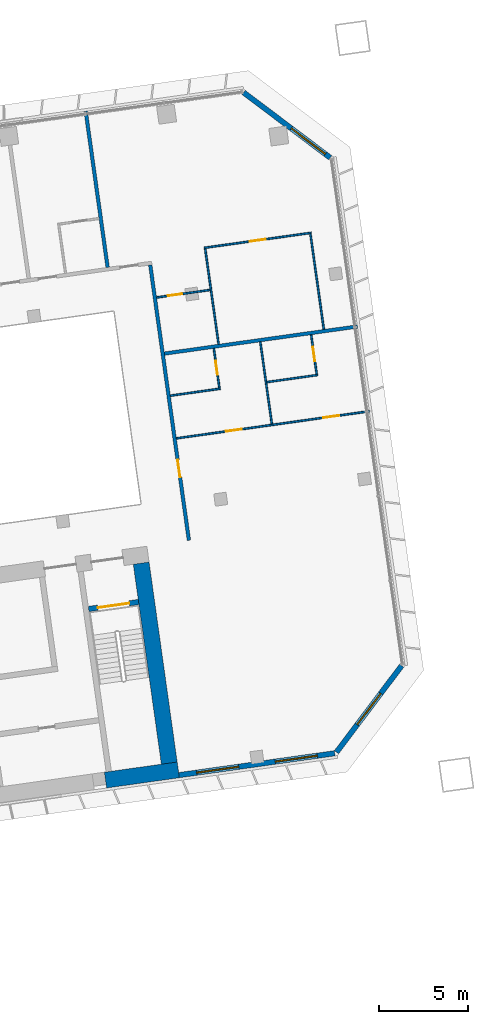
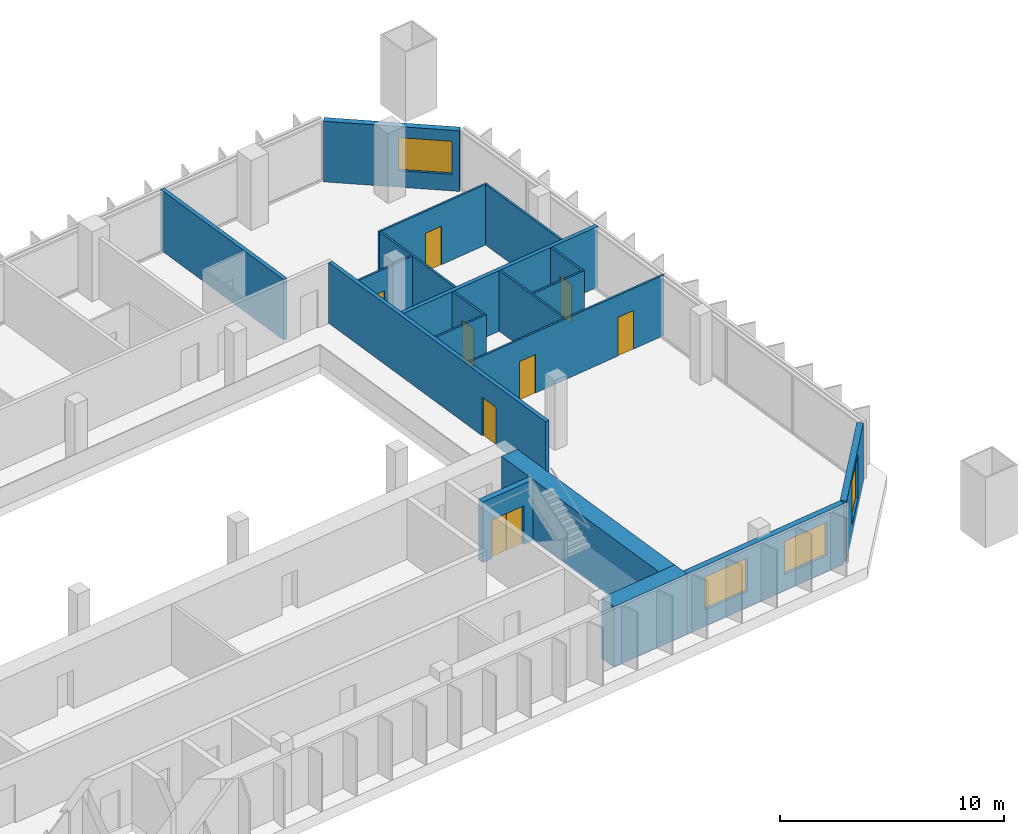
# One storey, part 21 of 24: 19 walls, 8 doors, 4 windows, 12 openings.
"""IFC4 building model written with IfcOpenShell, lengths in metres."""

from ifc_helpers import new_model, si_unit, direction, frame, frame_2d, origin, place, context, subcontext, project, spatial, rectangle, extrude, material, layer, layer_set, type_object, element, fill, save


model = new_model("IFC4")

# Units and contexts
model_context = context("Model", 3, precision=1e-05, world=origin(), true_north=direction((0.0, 1.0)))
body_context = subcontext(model_context, "Body", "Model", "MODEL_VIEW")
ifc_project = project(units=[si_unit("LENGTHUNIT", "METRE"), si_unit("AREAUNIT", "SQUARE_METRE"), si_unit("VOLUMEUNIT", "CUBIC_METRE"), si_unit("PLANEANGLEUNIT", "RADIAN"), si_unit("MASSUNIT", "GRAM", prefix="KILO")], contexts=[model_context])

# Site, building, storey
site_placement = place(None, origin())
site = spatial("IfcSite", under=ifc_project, at=site_placement, CompositionType="ELEMENT")
building_placement = place(site_placement, origin())
building = spatial("IfcBuilding", under=site, at=building_placement, Name="Mirante Cascada Hotel Towers", CompositionType="ELEMENT")
storey_placement = place(building_placement, frame((0.0, 0.0, 88.9)))
storey = spatial("IfcBuildingStorey", under=building, at=storey_placement, Name="L19", CompositionType="ELEMENT", Elevation=88.9)

# Walls
ifc_material_1 = material(Name="Fire-rated plasterboard on metal studs")
ifc_layer_1 = layer(ifc_material_1, 0.2)
ifc_layer_set_1 = layer_set([ifc_layer_1], Name="Compartment wall 200 EI 120")
wall_type_1 = type_object("IfcWallType", Name="Compartment wall 200 EI 120", PredefinedType="PARTITIONING", material=ifc_layer_set_1)
wall_1_placement = place(storey_placement, frame((100.6266, 12.8067, 0.0), z_axis=(0.0, 0.0, 1.0), x_axis=(-0.990268, -0.1391733, 0.0)))
element("IfcWall", 1, at=wall_1_placement, inside=storey, type_object=wall_type_1, Name="Wall 2-L19-09", PredefinedType="PARTITIONING", context=body_context, shape_type="SweptSolid", body=[
    extrude(rectangle(XDim=11.0, YDim=0.2, at=frame_2d((5.5, 0.0))), origin(), (0.0, 0.0, 1.0), 3.3),
])
wall_2_placement = place(storey_placement, frame((86.525, 16.1433, 0.0), z_axis=(0.0, 0.0, 1.0), x_axis=(-0.1391684, 0.9902687, 0.0)))
element("IfcWall", 2, at=wall_2_placement, inside=storey, type_object=wall_type_1, Name="Wall 2-L19-48", PredefinedType="PARTITIONING", context=body_context, shape_type="SweptSolid", body=[
    extrude(rectangle(XDim=8.9, YDim=0.2, at=frame_2d((4.45, 0.0))), origin(), (0.0, 0.0, 1.0), 3.3),
])

# Wall, opening, door
wall_3_placement = place(storey_placement, frame((88.9295, 16.2793, 0.0), z_axis=(0.0, 0.0, 1.0), x_axis=(0.1391721, -0.9902682, 0.0)))
wall_3 = element("IfcWall", 3, at=wall_3_placement, inside=storey, type_object=wall_type_1, Name="Wall 2-L19-49", PredefinedType="PARTITIONING", context=body_context, shape_type="SweptSolid", body=[
    extrude(rectangle(XDim=15.7, YDim=0.2, at=frame_2d((7.85, 0.0))), origin(), (0.0, 0.0, 1.0), 3.3),
])
opening_1_placement = place(wall_3_placement, frame((11.1, 0.0, 0.0)))
opening_1 = element("IfcOpeningElement", 4, at=opening_1_placement, cuts=wall_3, Name="Opening D2-L19-31", PredefinedType="OPENING", context=body_context, shape_type="SweptSolid", body=[
    extrude(rectangle(XDim=1.0, YDim=2.1, at=frame_2d((0.5, 1.05))), frame((0.0, 0.1, 0.0), z_axis=(0.0, -1.0, 0.0), x_axis=(1.0, 0.0, 0.0)), (0.0, 0.0, 1.0), 0.2),
])
ifc_material_2 = material(Name="Fire-rated timber door leaf", Category="wood")
door_type_1 = type_object("IfcDoorType", Name="Entrance door DG1 1000x2100 EI 60", OperationType="SINGLE_SWING_LEFT", PredefinedType="DOOR", material=ifc_material_2)
door_1_placement = place(opening_1_placement, origin())
door_1 = element("IfcDoor", 5, at=door_1_placement, inside=storey, type_object=door_type_1, Name="Door D2-L19-31", OperationType="SINGLE_SWING_LEFT", OverallHeight=2.1, OverallWidth=1.0, PredefinedType="DOOR", context=body_context, shape_type="SweptSolid", body=[
    extrude(rectangle(XDim=1.0, YDim=2.1, at=frame_2d((0.5, 1.05))), frame((0.0, 0.025, 0.0), z_axis=(0.0, -1.0, 0.0), x_axis=(1.0, 0.0, 0.0)), (0.0, 0.0, 1.0), 0.05),
])
fill(opening_1, door_1)

# Wall, openings, doors
ifc_material_3 = material(Name="Plasterboard on metal studs")
ifc_layer_2 = layer(ifc_material_3, 0.1)
ifc_layer_set_2 = layer_set([ifc_layer_2], Name="Partition 100")
wall_type_2 = type_object("IfcWallType", Name="Partition 100", PredefinedType="PARTITIONING", material=ifc_layer_set_2)
wall_4_placement = place(storey_placement, frame((101.2993, 8.0205, 0.0), z_axis=(0.0, 0.0, 1.0), x_axis=(-0.990268, -0.1391733, 0.0)))
wall_4 = element("IfcWall", 6, at=wall_4_placement, inside=storey, type_object=wall_type_2, Name="Wall 2-L19-05", PredefinedType="PARTITIONING", context=body_context, shape_type="SweptSolid", body=[
    extrude(rectangle(XDim=11.0, YDim=0.1, at=frame_2d((5.5, 0.0))), origin(), (0.0, 0.0, 1.0), 3.3),
])
opening_2_placement = place(wall_4_placement, frame((7.275, 0.0, 0.0)))
opening_2 = element("IfcOpeningElement", 7, at=opening_2_placement, cuts=wall_4, Name="Opening D2-L19-03", PredefinedType="OPENING", context=body_context, shape_type="SweptSolid", body=[
    extrude(rectangle(XDim=0.9, YDim=2.1, at=frame_2d((0.45, 1.05))), frame((0.0, 0.05, 0.0), z_axis=(0.0, -1.0, 0.0), x_axis=(1.0, 0.0, 0.0)), (0.0, 0.0, 1.0), 0.1),
])
opening_3_placement = place(wall_4_placement, frame((1.725, 0.0, 0.0)))
opening_3 = element("IfcOpeningElement", 8, at=opening_3_placement, cuts=wall_4, Name="Opening D2-L19-04", PredefinedType="OPENING", context=body_context, shape_type="SweptSolid", body=[
    extrude(rectangle(XDim=0.9, YDim=2.1, at=frame_2d((0.45, 1.05))), frame((0.0, 0.05, 0.0), z_axis=(0.0, -1.0, 0.0), x_axis=(1.0, 0.0, 0.0)), (0.0, 0.0, 1.0), 0.1),
])
ifc_material_4 = material(Name="Timber door leaf", Category="wood")
door_type_2 = type_object("IfcDoorType", Name="Room door DG3 900x2100", OperationType="SINGLE_SWING_LEFT", PredefinedType="DOOR", material=ifc_material_4)
door_2_placement = place(opening_2_placement, origin())
door_2 = element("IfcDoor", 9, at=door_2_placement, inside=storey, type_object=door_type_2, Name="Door D2-L19-03", OperationType="SINGLE_SWING_LEFT", OverallHeight=2.1, OverallWidth=0.9, PredefinedType="DOOR", context=body_context, shape_type="SweptSolid", body=[
    extrude(rectangle(XDim=0.9, YDim=2.1, at=frame_2d((0.45, 1.05))), frame((0.0, 0.025, 0.0), z_axis=(0.0, -1.0, 0.0), x_axis=(1.0, 0.0, 0.0)), (0.0, 0.0, 1.0), 0.05),
])
fill(opening_2, door_2)
door_3_placement = place(opening_3_placement, origin())
door_3 = element("IfcDoor", 10, at=door_3_placement, inside=storey, type_object=door_type_2, Name="Door D2-L19-04", OperationType="SINGLE_SWING_LEFT", OverallHeight=2.1, OverallWidth=0.9, PredefinedType="DOOR", context=body_context, shape_type="SweptSolid", body=[
    extrude(rectangle(XDim=0.9, YDim=2.1, at=frame_2d((0.45, 1.05))), frame((0.0, 0.025, 0.0), z_axis=(0.0, -1.0, 0.0), x_axis=(1.0, 0.0, 0.0)), (0.0, 0.0, 1.0), 0.05),
])
fill(opening_3, door_3)

# Walls
wall_5_placement = place(storey_placement, frame((90.0677, 8.8992, 0.0), z_axis=(0.0, 0.0, 1.0), x_axis=(0.9902704, 0.1391564, 0.0)))
element("IfcWall", 11, at=wall_5_placement, inside=storey, type_object=wall_type_2, Name="Wall 2-L19-06", PredefinedType="PARTITIONING", context=body_context, shape_type="SweptSolid", body=[
    extrude(rectangle(XDim=2.85, YDim=0.1, at=frame_2d((1.425, 0.0))), origin(), (0.0, 0.0, 1.0), 3.3),
])
wall_6_placement = place(storey_placement, frame((98.386, 10.0682, 0.0), z_axis=(0.0, 0.0, 1.0), x_axis=(-0.9902683, -0.1391714, 0.0)))
element("IfcWall", 12, at=wall_6_placement, inside=storey, type_object=wall_type_2, Name="Wall 2-L19-07", PredefinedType="PARTITIONING", context=body_context, shape_type="SweptSolid", body=[
    extrude(rectangle(XDim=2.9, YDim=0.1, at=frame_2d((1.45, 0.0))), origin(), (0.0, 0.0, 1.0), 3.3),
])

# Wall, opening, door
wall_7_placement = place(storey_placement, frame((89.2883, 14.4447, 0.0), z_axis=(0.0, 0.0, 1.0), x_axis=(0.9902676, 0.1391765, 0.0)))
wall_7 = element("IfcWall", 13, at=wall_7_placement, inside=storey, type_object=wall_type_2, Name="Wall 2-L19-12", PredefinedType="PARTITIONING", context=body_context, shape_type="SweptSolid", body=[
    extrude(rectangle(XDim=3.0501, YDim=0.1, at=frame_2d((1.525, 0.0))), origin(), (0.0, 0.0, 1.0), 3.3),
])
opening_4_placement = place(wall_7_placement, frame((0.65, 0.0, 0.0)))
opening_4 = element("IfcOpeningElement", 14, at=opening_4_placement, cuts=wall_7, Name="Opening D2-L19-05", PredefinedType="OPENING", context=body_context, shape_type="SweptSolid", body=[
    extrude(rectangle(XDim=0.8, YDim=2.1, at=frame_2d((0.4, 1.05))), frame((0.0, 0.05, 0.0), z_axis=(0.0, -1.0, 0.0), x_axis=(1.0, 0.0, 0.0)), (0.0, 0.0, 1.0), 0.1),
])
ifc_material_5 = material(Name="Timber door leaf", Category="wood")
door_type_3 = type_object("IfcDoorType", Name="Bathroom door DG4 800x2100", OperationType="SINGLE_SWING_LEFT", PredefinedType="DOOR", material=ifc_material_5)
door_4_placement = place(opening_4_placement, origin())
door_4 = element("IfcDoor", 15, at=door_4_placement, inside=storey, type_object=door_type_3, Name="Door D2-L19-05", OperationType="SINGLE_SWING_LEFT", OverallHeight=2.1, OverallWidth=0.8, PredefinedType="DOOR", context=body_context, shape_type="SweptSolid", body=[
    extrude(rectangle(XDim=0.8, YDim=2.1, at=frame_2d((0.4, 1.05))), frame((0.0, 0.025, 0.0), z_axis=(0.0, -1.0, 0.0), x_axis=(1.0, 0.0, 0.0)), (0.0, 0.0, 1.0), 0.05),
])
fill(opening_4, door_4)

wall_8_placement = place(storey_placement, frame((98.0153, 18.0948, 0.0), z_axis=(0.0, 0.0, 1.0), x_axis=(-0.9902673, -0.1391787, 0.0)))
wall_8 = element("IfcWall", 16, at=wall_8_placement, inside=storey, type_object=wall_type_2, Name="Wall 2-L19-15", PredefinedType="PARTITIONING", context=body_context, shape_type="SweptSolid", body=[
    extrude(rectangle(XDim=6.1001, YDim=0.1, at=frame_2d((3.05, 0.0))), origin(), (0.0, 0.0, 1.0), 3.3),
])
opening_5_placement = place(wall_8_placement, frame((2.6, 0.0, 0.0)))
opening_5 = element("IfcOpeningElement", 17, at=opening_5_placement, cuts=wall_8, Name="Opening D2-L19-17", PredefinedType="OPENING", context=body_context, shape_type="SweptSolid", body=[
    extrude(rectangle(XDim=0.9, YDim=2.1, at=frame_2d((0.45, 1.05))), frame((0.0, 0.05, 0.0), z_axis=(0.0, -1.0, 0.0), x_axis=(1.0, 0.0, 0.0)), (0.0, 0.0, 1.0), 0.1),
])
door_5_placement = place(opening_5_placement, frame((0.9, 0.0, 0.0), z_axis=(0.0, 0.0, 1.0), x_axis=(-1.0, 0.0, 0.0)))
door_5 = element("IfcDoor", 18, at=door_5_placement, inside=storey, type_object=door_type_2, Name="Door D2-L19-17", OperationType="SINGLE_SWING_RIGHT", OverallHeight=2.1, OverallWidth=0.9, PredefinedType="DOOR", context=body_context, shape_type="SweptSolid", body=[
    extrude(rectangle(XDim=0.9, YDim=2.1, at=frame_2d((0.45, 1.05))), frame((0.0, 0.025, 0.0), z_axis=(0.0, -1.0, 0.0), x_axis=(1.0, 0.0, 0.0)), (0.0, 0.0, 1.0), 0.05),
])
fill(opening_5, door_5)

wall_9_placement = place(storey_placement, frame((92.8335, 9.3384, 0.0), z_axis=(0.0, 0.0, 1.0), x_axis=(-0.1391561, 0.9902705, 0.0)))
wall_9 = element("IfcWall", 19, at=wall_9_placement, inside=storey, type_object=wall_type_2, Name="Wall 2-L19-50", PredefinedType="PARTITIONING", context=body_context, shape_type="SweptSolid", body=[
    extrude(rectangle(XDim=2.25, YDim=0.1, at=frame_2d((1.125, 0.0))), origin(), (0.0, 0.0, 1.0), 3.3),
])
opening_6_placement = place(wall_9_placement, frame((0.75, 0.0, 0.0)))
opening_6 = element("IfcOpeningElement", 20, at=opening_6_placement, cuts=wall_9, Name="Opening D2-L19-32", PredefinedType="OPENING", context=body_context, shape_type="SweptSolid", body=[
    extrude(rectangle(XDim=0.8, YDim=2.1, at=frame_2d((0.4, 1.05))), frame((0.0, 0.05, 0.0), z_axis=(0.0, -1.0, 0.0), x_axis=(1.0, 0.0, 0.0)), (0.0, 0.0, 1.0), 0.1),
])
door_6_placement = place(opening_6_placement, origin())
door_6 = element("IfcDoor", 21, at=door_6_placement, inside=storey, type_object=door_type_3, Name="Door D2-L19-32", OperationType="SINGLE_SWING_LEFT", OverallHeight=2.1, OverallWidth=0.8, PredefinedType="DOOR", context=body_context, shape_type="SweptSolid", body=[
    extrude(rectangle(XDim=0.8, YDim=2.1, at=frame_2d((0.4, 1.05))), frame((0.0, 0.025, 0.0), z_axis=(0.0, -1.0, 0.0), x_axis=(1.0, 0.0, 0.0)), (0.0, 0.0, 1.0), 0.05),
])
fill(opening_6, door_6)

# Walls
wall_10_placement = place(storey_placement, frame((92.0311, 17.2032, 0.0), z_axis=(0.0, 0.0, 1.0), x_axis=(0.1391758, -0.9902677, 0.0)))
element("IfcWall", 22, at=wall_10_placement, inside=storey, type_object=wall_type_2, Name="Wall 2-L19-51", PredefinedType="PARTITIONING", context=body_context, shape_type="SweptSolid", body=[
    extrude(rectangle(XDim=5.4499, YDim=0.1, at=frame_2d((2.725, 0.0))), origin(), (0.0, 0.0, 1.0), 3.3),
])
wall_11_placement = place(storey_placement, frame((95.7964, 7.2976, 0.0), z_axis=(0.0, 0.0, 1.0), x_axis=(-0.139176, 0.9902677, 0.0)))
element("IfcWall", 23, at=wall_11_placement, inside=storey, type_object=wall_type_2, Name="Wall 2-L19-52", PredefinedType="PARTITIONING", context=body_context, shape_type="SweptSolid", body=[
    extrude(rectangle(XDim=4.6833, YDim=0.1, at=frame_2d((2.3416, 0.0))), origin(), (0.0, 0.0, 1.0), 3.3),
])

# Wall, opening, door
wall_12_placement = place(storey_placement, frame((98.0163, 12.3389, 0.0), z_axis=(0.0, 0.0, 1.0), x_axis=(0.1391997, -0.9902643, 0.0)))
wall_12 = element("IfcWall", 24, at=wall_12_placement, inside=storey, type_object=wall_type_2, Name="Wall 2-L19-53", PredefinedType="PARTITIONING", context=body_context, shape_type="SweptSolid", body=[
    extrude(rectangle(XDim=2.25, YDim=0.1, at=frame_2d((1.125, 0.0))), origin(), (0.0, 0.0, 1.0), 3.3),
])
opening_7_placement = place(wall_12_placement, frame((0.7, 0.0, 0.0)))
opening_7 = element("IfcOpeningElement", 25, at=opening_7_placement, cuts=wall_12, Name="Opening D2-L19-33", PredefinedType="OPENING", context=body_context, shape_type="SweptSolid", body=[
    extrude(rectangle(XDim=0.8, YDim=2.1, at=frame_2d((0.4, 1.05))), frame((0.0, 0.05, 0.0), z_axis=(0.0, -1.0, 0.0), x_axis=(1.0, 0.0, 0.0)), (0.0, 0.0, 1.0), 0.1),
])
door_7_placement = place(opening_7_placement, frame((0.8, 0.0, 0.0), z_axis=(0.0, 0.0, 1.0), x_axis=(-1.0, 0.0, 0.0)))
door_7 = element("IfcDoor", 26, at=door_7_placement, inside=storey, type_object=door_type_3, Name="Door D2-L19-33", OperationType="SINGLE_SWING_RIGHT", OverallHeight=2.1, OverallWidth=0.8, PredefinedType="DOOR", context=body_context, shape_type="SweptSolid", body=[
    extrude(rectangle(XDim=0.8, YDim=2.1, at=frame_2d((0.4, 1.05))), frame((0.0, 0.025, 0.0), z_axis=(0.0, -1.0, 0.0), x_axis=(1.0, 0.0, 0.0)), (0.0, 0.0, 1.0), 0.05),
])
fill(opening_7, door_7)

# Wall
wall_13_placement = place(storey_placement, frame((98.7312, 12.6413, 0.0), z_axis=(0.0, 0.0, 1.0), x_axis=(-0.1391733, 0.990268, 0.0)))
element("IfcWall", 27, at=wall_13_placement, inside=storey, type_object=wall_type_2, Name="Wall 2-L19-54", PredefinedType="PARTITIONING", context=body_context, shape_type="SweptSolid", body=[
    extrude(rectangle(XDim=5.45, YDim=0.1, at=frame_2d((2.725, 0.0))), origin(), (0.0, 0.0, 1.0), 3.3),
])

# Wall, openings, windows
ifc_material_6 = material(Name="Precast concrete C40/50", Category="concrete")
ifc_layer_3 = layer(ifc_material_6, 0.3)
ifc_layer_set_3 = layer_set([ifc_layer_3], Name="Precast concrete C40/50 cladding wall 300")
wall_type_3 = type_object("IfcWallType", Name="Precast concrete C40/50 cladding wall 300", PredefinedType="STANDARD", material=ifc_layer_set_3)
wall_14_placement = place(storey_placement, frame((90.5541, -12.5249, 0.0), z_axis=(0.0, 0.0, 1.0), x_axis=(0.9902676, 0.1391765, 0.0)))
wall_14 = element("IfcWall", 28, at=wall_14_placement, inside=storey, type_object=wall_type_3, Name="Rear cladding wall T2 L19 1", PredefinedType="STANDARD", context=body_context, shape_type="SweptSolid", body=[
    extrude(rectangle(XDim=8.8758, YDim=0.3, at=frame_2d((4.4379, 0.0))), origin(), (0.0, 0.0, 1.0), 3.3),
])
opening_8_placement = place(wall_14_placement, frame((1.0012, 0.0, 0.9)))
opening_8 = element("IfcOpeningElement", 29, at=opening_8_placement, cuts=wall_14, Name="Opening W2-19-01", PredefinedType="OPENING", context=body_context, shape_type="SweptSolid", body=[
    extrude(rectangle(XDim=2.4, YDim=1.8, at=frame_2d((1.2, 0.9))), frame((0.0, 0.15, 0.0), z_axis=(0.0, -1.0, 0.0), x_axis=(1.0, 0.0, 0.0)), (0.0, 0.0, 1.0), 0.3),
])
opening_9_placement = place(wall_14_placement, frame((5.4923, 0.0, 0.9)))
opening_9 = element("IfcOpeningElement", 30, at=opening_9_placement, cuts=wall_14, Name="Opening W2-19-02", PredefinedType="OPENING", context=body_context, shape_type="SweptSolid", body=[
    extrude(rectangle(XDim=2.4, YDim=1.8, at=frame_2d((1.2, 0.9))), frame((0.0, 0.15, 0.0), z_axis=(0.0, -1.0, 0.0), x_axis=(1.0, 0.0, 0.0)), (0.0, 0.0, 1.0), 0.3),
])
ifc_material_7 = material(Name="Aluminium frame with clear double glazing", Category="aluminium")
window_type_1 = type_object("IfcWindowType", Name="Punched window 2400x1800", PartitioningType="DOUBLE_PANEL_VERTICAL", PredefinedType="WINDOW", material=ifc_material_7)
window_1_placement = place(opening_8_placement, origin())
window_1 = element("IfcWindow", 31, at=window_1_placement, inside=storey, type_object=window_type_1, Name="Window W2-19-01", OverallHeight=1.8, OverallWidth=2.4, PartitioningType="SINGLE_PANEL", PredefinedType="WINDOW", context=body_context, shape_type="SweptSolid", body=[
    extrude(rectangle(XDim=2.4, YDim=1.8, at=frame_2d((1.2, 0.9))), frame((0.0, 0.03, 0.0), z_axis=(0.0, -1.0, 0.0), x_axis=(1.0, 0.0, 0.0)), (0.0, 0.0, 1.0), 0.06),
])
fill(opening_8, window_1)
window_2_placement = place(opening_9_placement, origin())
window_2 = element("IfcWindow", 32, at=window_2_placement, inside=storey, type_object=window_type_1, Name="Window W2-19-02", OverallHeight=1.8, OverallWidth=2.4, PartitioningType="SINGLE_PANEL", PredefinedType="WINDOW", context=body_context, shape_type="SweptSolid", body=[
    extrude(rectangle(XDim=2.4, YDim=1.8, at=frame_2d((1.2, 0.9))), frame((0.0, 0.03, 0.0), z_axis=(0.0, -1.0, 0.0), x_axis=(1.0, 0.0, 0.0)), (0.0, 0.0, 1.0), 0.06),
])
fill(opening_9, window_2)

# Wall, opening, window
wall_15_placement = place(storey_placement, frame((99.4424, -11.2313, 0.0), z_axis=(0.0, 0.0, 1.0), x_axis=(0.6018194, 0.7986322, 0.0)))
wall_15 = element("IfcWall", 33, at=wall_15_placement, inside=storey, type_object=wall_type_3, Name="Corner cladding wall T2 L19 rear outer", PredefinedType="STANDARD", context=body_context, shape_type="SweptSolid", body=[
    extrude(rectangle(XDim=6.1155, YDim=0.3, at=frame_2d((3.0578, 0.0))), origin(), (0.0, 0.0, 1.0), 3.3),
])
opening_10_placement = place(wall_15_placement, frame((1.9576, 0.0, 0.6)))
opening_10 = element("IfcOpeningElement", 34, at=opening_10_placement, cuts=wall_15, Name="Opening W2-19-03", PredefinedType="OPENING", context=body_context, shape_type="SweptSolid", body=[
    extrude(rectangle(XDim=2.2, YDim=2.4, at=frame_2d((1.1, 1.2))), frame((0.0, 0.15, 0.0), z_axis=(0.0, -1.0, 0.0), x_axis=(1.0, 0.0, 0.0)), (0.0, 0.0, 1.0), 0.3),
])
ifc_material_8 = material(Name="Aluminium frame with clear double glazing", Category="aluminium")
window_type_2 = type_object("IfcWindowType", Name="Corner suite window 2200x2400", PartitioningType="DOUBLE_PANEL_VERTICAL", PredefinedType="WINDOW", material=ifc_material_8)
window_3_placement = place(opening_10_placement, origin())
window_3 = element("IfcWindow", 35, at=window_3_placement, inside=storey, type_object=window_type_2, Name="Window W2-19-03", OverallHeight=2.4, OverallWidth=2.2, PartitioningType="SINGLE_PANEL", PredefinedType="WINDOW", context=body_context, shape_type="SweptSolid", body=[
    extrude(rectangle(XDim=2.2, YDim=2.4, at=frame_2d((1.1, 1.2))), frame((0.0, 0.03, 0.0), z_axis=(0.0, -1.0, 0.0), x_axis=(1.0, 0.0, 0.0)), (0.0, 0.0, 1.0), 0.06),
])
fill(opening_10, window_3)

wall_16_placement = place(storey_placement, frame((99.0919, 22.3343, 0.0), z_axis=(0.0, 0.0, 1.0), x_axis=(-0.7986362, 0.6018141, 0.0)))
wall_16 = element("IfcWall", 36, at=wall_16_placement, inside=storey, type_object=wall_type_3, Name="Corner cladding wall T2 L19 outer front", PredefinedType="STANDARD", context=body_context, shape_type="SweptSolid", body=[
    extrude(rectangle(XDim=6.1157, YDim=0.3, at=frame_2d((3.0578, 0.0))), origin(), (0.0, 0.0, 1.0), 3.3),
])
opening_11_placement = place(wall_16_placement, frame((0.35, 0.0, 0.9)))
opening_11 = element("IfcOpeningElement", 37, at=opening_11_placement, cuts=wall_16, Name="Opening W2-19-06", PredefinedType="OPENING", context=body_context, shape_type="SweptSolid", body=[
    extrude(rectangle(XDim=2.4, YDim=1.8, at=frame_2d((1.2, 0.9))), frame((0.0, 0.15, 0.0), z_axis=(0.0, -1.0, 0.0), x_axis=(1.0, 0.0, 0.0)), (0.0, 0.0, 1.0), 0.3),
])
window_4_placement = place(opening_11_placement, origin())
window_4 = element("IfcWindow", 38, at=window_4_placement, inside=storey, type_object=window_type_1, Name="Window W2-19-06", OverallHeight=1.8, OverallWidth=2.4, PartitioningType="SINGLE_PANEL", PredefinedType="WINDOW", context=body_context, shape_type="SweptSolid", body=[
    extrude(rectangle(XDim=2.4, YDim=1.8, at=frame_2d((1.2, 0.9))), frame((0.0, 0.03, 0.0), z_axis=(0.0, -1.0, 0.0), x_axis=(1.0, 0.0, 0.0)), (0.0, 0.0, 1.0), 0.06),
])
fill(opening_11, window_4)

# Wall, opening, door
ifc_material_9 = material(Name="Concrete C50/60", Category="concrete")
ifc_layer_4 = layer(ifc_material_9, 0.3)
ifc_layer_set_4 = layer_set([ifc_layer_4], Name="RC core wall 300 C50/60")
wall_type_4 = type_object("IfcWallType", Name="RC core wall 300 C50/60", PredefinedType="SHEAR", material=ifc_layer_set_4)
wall_17_placement = place(storey_placement, frame((85.4489, -3.1441, 0.0), z_axis=(0.0, 0.0, 1.0), x_axis=(0.9902697, 0.1391613, 0.0)))
wall_17 = element("IfcWall", 39, at=wall_17_placement, inside=storey, type_object=wall_type_4, Name="Core wall T2:L19:11", PredefinedType="SHEAR", context=body_context, shape_type="SweptSolid", body=[
    extrude(rectangle(XDim=2.8499, YDim=0.3, at=frame_2d((1.425, 0.0))), origin(), (0.0, 0.0, 1.0), 3.3),
])
opening_12_placement = place(wall_17_placement, frame((0.525, 0.0, 0.0)))
opening_12 = element("IfcOpeningElement", 40, at=opening_12_placement, cuts=wall_17, Name="Opening D2-19-C17", PredefinedType="OPENING", context=body_context, shape_type="SweptSolid", body=[
    extrude(rectangle(XDim=1.8, YDim=2.1, at=frame_2d((0.9, 1.05))), frame((0.0, 0.15, 0.0), z_axis=(0.0, -1.0, 0.0), x_axis=(1.0, 0.0, 0.0)), (0.0, 0.0, 1.0), 0.3),
])
ifc_material_10 = material(Name="Hollow metal fire door leaf")
door_type_4 = type_object("IfcDoorType", Name="Double fire door 1800x2100 FD60", OperationType="DOUBLE_DOOR_SINGLE_SWING", PredefinedType="DOOR", material=ifc_material_10)
door_8_placement = place(opening_12_placement, frame((1.8, 0.0, 0.0), z_axis=(0.0, 0.0, 1.0), x_axis=(-1.0, 0.0, 0.0)))
door_8 = element("IfcDoor", 41, at=door_8_placement, inside=storey, type_object=door_type_4, Name="Stair door T2 L19 17", OperationType="DOUBLE_DOOR_SINGLE_SWING", OverallHeight=2.1, OverallWidth=1.8, PredefinedType="DOOR", context=body_context, shape_type="SweptSolid", body=[
    extrude(rectangle(XDim=0.895, YDim=2.1, at=frame_2d((0.4475, 1.05))), frame((0.0, 0.025, 0.0), z_axis=(0.0, -1.0, 0.0), x_axis=(1.0, 0.0, 0.0)), (0.0, 0.0, 1.0), 0.05),
    extrude(rectangle(XDim=0.895, YDim=2.1, at=frame_2d((1.3525, 1.05))), frame((0.0, 0.025, 0.0), z_axis=(0.0, -1.0, 0.0), x_axis=(1.0, 0.0, 0.0)), (0.0, 0.0, 1.0), 0.05),
])
fill(opening_12, door_8)

# Walls
ifc_material_11 = material(Name="Concrete C50/60", Category="concrete")
ifc_layer_5 = layer(ifc_material_11, 0.9)
ifc_layer_set_5 = layer_set([ifc_layer_5], Name="RC core wall 900 C50/60")
wall_type_5 = type_object("IfcWallType", Name="RC core wall 900 C50/60", PredefinedType="SHEAR", material=ifc_layer_set_5)
wall_18_placement = place(storey_placement, frame((86.4027, -12.8054, 0.0), z_axis=(0.0, 0.0, 1.0), x_axis=(0.990267, 0.139181, 0.0)))
element("IfcWall", 42, at=wall_18_placement, inside=storey, type_object=wall_type_5, Name="Core wall T2:L19:1.7", PredefinedType="SHEAR", context=body_context, shape_type="SweptSolid", body=[
    extrude(rectangle(XDim=4.15, YDim=0.9, at=frame_2d((2.075, 0.0))), origin(), (0.0, 0.0, 1.0), 3.3),
])
wall_19_placement = place(storey_placement, frame((90.0041, -11.8449, 0.0), z_axis=(0.0, 0.0, 1.0), x_axis=(-0.1391749, 0.9902678, 0.0)))
element("IfcWall", 43, at=wall_19_placement, inside=storey, type_object=wall_type_5, Name="Core wall T2:L19:4", PredefinedType="SHEAR", context=body_context, shape_type="SweptSolid", body=[
    extrude(rectangle(XDim=11.4, YDim=0.9, at=frame_2d((5.7, 0.0))), origin(), (0.0, 0.0, 1.0), 3.3),
])

save(model, "model.ifc")
